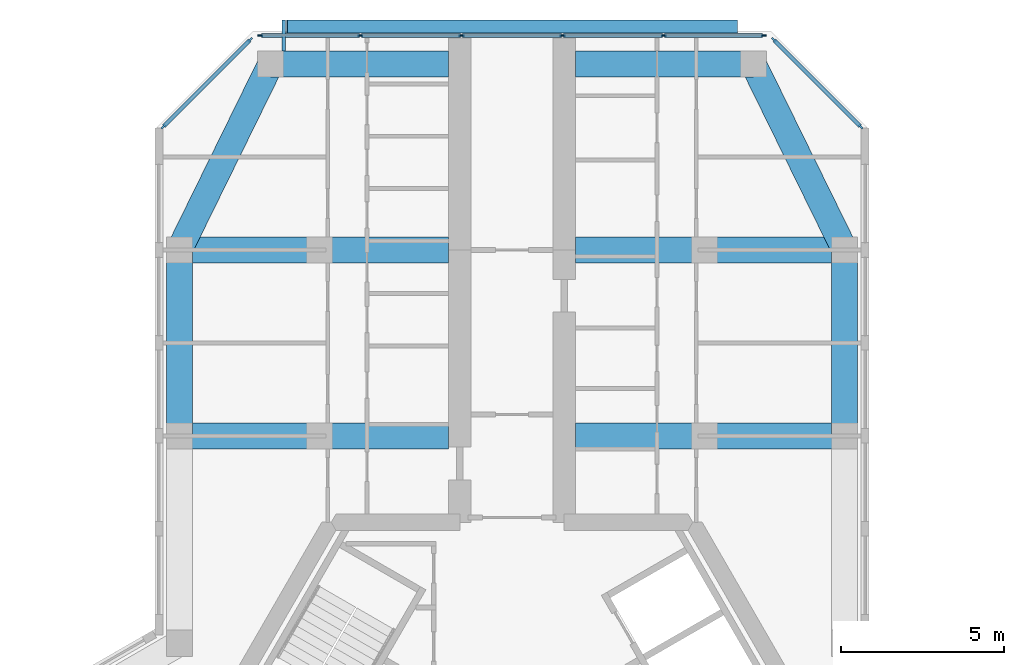
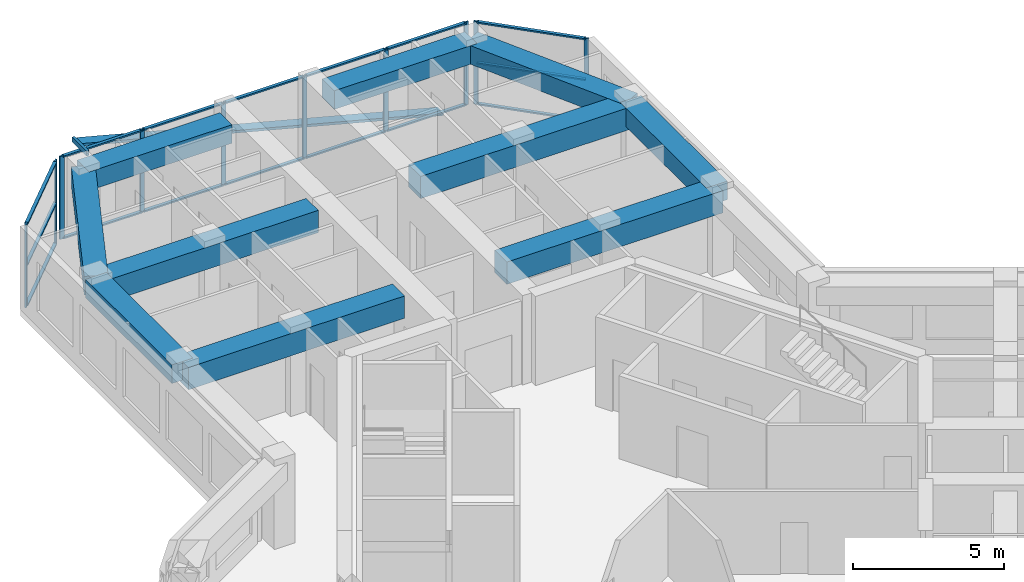
# One storey, part 5 of 14: 28 members, 10 beams, 3 elements without a shape of their own.
"""IFC4 building model written with IfcOpenShell, lengths in metres."""

from ifc_helpers import new_model, si_unit, direction, frame, origin, origin_2d, place, context, subcontext, project, spatial, rectangle, hollow_rectangle, extrude, material, material_profile, profile_set, type_object, element, aggregate, save


model = new_model("IFC4")

# Units and contexts
model_context = context("Model", 3, precision=1e-05, world=origin(), true_north=direction((0.0, 1.0)))
body_context = subcontext(model_context, "Body", "Model", "MODEL_VIEW")
ifc_project = project(units=[si_unit("LENGTHUNIT", "METRE"), si_unit("AREAUNIT", "SQUARE_METRE"), si_unit("VOLUMEUNIT", "CUBIC_METRE"), si_unit("PLANEANGLEUNIT", "RADIAN"), si_unit("MASSUNIT", "GRAM", prefix="KILO")], contexts=[model_context])

# Site, building, storey
site_placement = place(None, origin())
site = spatial("IfcSite", under=ifc_project, at=site_placement, CompositionType="ELEMENT")
building_placement = place(site_placement, origin())
building = spatial("IfcBuilding", under=site, at=building_placement, Name="Kosmar Iwan School Tower", CompositionType="ELEMENT")
storey_placement = place(building_placement, frame((0.0, 0.0, 292.60009765625)))
storey = spatial("IfcBuildingStorey", under=building, at=storey_placement, Name="L74", CompositionType="ELEMENT", Elevation=292.60009765625)

# Members
ifc_material_1 = material(Name="Black anodised aluminium", Category="aluminium")
ifc_material_profile_1 = material_profile(ifc_material_1, rectangle(XDim=0.10009765625, YDim=0.39990234375, at=origin_2d()), Name="FIN 100x400")
ifc_profile_set_1 = profile_set([ifc_material_profile_1], Name="Black anodised aluminium")
member_type_1 = type_object("IfcMemberType", Name="Diagonal fin 100x400", PredefinedType="USERDEFINED", material=ifc_profile_set_1)
member_1_placement = place(storey_placement, frame((6.898193359375, 24.800048828125, -0.150146484375), z_axis=(-0.967599450335, 0.0, 0.252490205179), x_axis=(0.252490205179, 0.0, 0.967599450335)))
element("IfcMember", 1, at=member_1_placement, inside=storey, type_object=member_type_1, Name="Diagonal fin L74-F08", ObjectType="FIN", PredefinedType="USERDEFINED", context=body_context, shape_type="SweptSolid", body=[
    extrude(rectangle(XDim=0.10009765625, YDim=0.39990234375, at=origin_2d()), origin(), (0.0, 0.0, 1.0), 14.25830078125),
])
ifc_material_2 = material(Name="Steel S355", Category="steel")
ifc_material_profile_2 = material_profile(ifc_material_2, hollow_rectangle(XDim=0.10009765625, YDim=0.199951171875, WallThickness=0.008056640625, at=origin_2d()), Name="RHS 200x100x8")
ifc_profile_set_2 = profile_set([ifc_material_profile_2], Name="Steel S355")
member_type_2 = type_object("IfcMemberType", Name="Fin bracket RHS 200x100", PredefinedType="USERDEFINED", material=ifc_profile_set_2)
member_2_placement = place(storey_placement, frame((-7.0, 24.050048828125, 3.474853515625), z_axis=(0.0, 1.0, 0.0), x_axis=(-1.0, 0.0, 0.0)))
element("IfcMember", 2, at=member_2_placement, inside=storey, type_object=member_type_2, Name="Fin bracket L75", ObjectType="FIN BRACKET", PredefinedType="USERDEFINED", context=body_context, shape_type="SweptSolid", body=[
    extrude(hollow_rectangle(XDim=0.10009765625, YDim=0.199951171875, WallThickness=0.008056640625, at=origin_2d()), origin(), (0.0, 0.0, 1.0), 0.949951171875),
])

# Curtain wall, members
ifc_material_3 = material(Name="Dark glass in black aluminium frame", Category="aluminium")
curtain_wall_type_1 = type_object("IfcCurtainWallType", Name="Chamfer curtain wall dark glass", PredefinedType="USERDEFINED", material=ifc_material_3)
curtain_wall_1_placement = place(storey_placement, origin())
curtain_wall_1 = element("IfcCurtainWall", 3, at=curtain_wall_1_placement, inside=storey, type_object=curtain_wall_type_1, Name="Curtain wall L74-F07", ObjectType="FACETED CURTAIN WALL", PredefinedType="USERDEFINED")
ifc_material_4 = material(Name="Black anodised aluminium", Category="aluminium")
ifc_material_profile_3 = material_profile(ifc_material_4, rectangle(XDim=0.06005859375, YDim=0.159912109375, at=origin_2d()), Name="MULLION 60x160")
ifc_profile_set_3 = profile_set([ifc_material_profile_3], Name="Black anodised aluminium")
member_type_3 = type_object("IfcMemberType", Name="Mullion 60x160", PredefinedType="MULLION", material=ifc_profile_set_3)
member_3_placement = place(storey_placement, frame((10.69775390625, 21.7255859375, 0.0), z_axis=(0.0, 0.0, 1.0), x_axis=(-0.707106781187, -0.707106781187, 0.0)))
member_3 = element("IfcMember", 4, at=member_3_placement, type_object=member_type_3, Name="CW2 mullion 1", PredefinedType="MULLION", context=body_context, shape_type="SweptSolid", body=[
    extrude(rectangle(XDim=0.06005859375, YDim=0.159912109375, at=origin_2d()), origin(), (0.0, 0.0, 1.0), 3.349853515625),
])
member_4_placement = place(storey_placement, frame((8.025390625, 24.397705078125, 0.0), z_axis=(0.0, 0.0, 1.0), x_axis=(-0.707106781187, -0.707106781187, 0.0)))
member_4 = element("IfcMember", 5, at=member_4_placement, type_object=member_type_3, Name="CW2 mullion 2", PredefinedType="MULLION", context=body_context, shape_type="SweptSolid", body=[
    extrude(rectangle(XDim=0.06005859375, YDim=0.159912109375, at=origin_2d()), origin(), (0.0, 0.0, 1.0), 3.349853515625),
])

ifc_material_5 = material(Name="Dark glass in black aluminium frame", Category="aluminium")
curtain_wall_type_2 = type_object("IfcCurtainWallType", Name="Tower curtain wall dark glass", PredefinedType="USERDEFINED", material=ifc_material_5)
curtain_wall_2_placement = place(storey_placement, origin())
curtain_wall_2 = element("IfcCurtainWall", 6, at=curtain_wall_2_placement, inside=storey, type_object=curtain_wall_type_2, Name="Curtain wall L74-F08", ObjectType="UNITISED CURTAIN WALL", PredefinedType="USERDEFINED")
member_5_placement = place(storey_placement, frame((7.71826171875, 24.52490234375, 0.0), z_axis=(0.0, 0.0, 1.0), x_axis=(0.0, -1.0, 0.0)))
member_5 = element("IfcMember", 7, at=member_5_placement, type_object=member_type_3, Name="CW1 mullion 1", PredefinedType="MULLION", context=body_context, shape_type="SweptSolid", body=[
    extrude(rectangle(XDim=0.06005859375, YDim=0.159912109375, at=origin_2d()), origin(), (0.0, 0.0, 1.0), 3.349853515625),
])
member_6_placement = place(storey_placement, frame((4.64892578125, 24.52490234375, 0.0), z_axis=(0.0, 0.0, 1.0), x_axis=(0.0, -1.0, 0.0)))
member_6 = element("IfcMember", 8, at=member_6_placement, type_object=member_type_3, Name="CW1 mullion 2", PredefinedType="MULLION", context=body_context, shape_type="SweptSolid", body=[
    extrude(rectangle(XDim=0.06005859375, YDim=0.159912109375, at=origin_2d()), origin(), (0.0, 0.0, 1.0), 3.349853515625),
])
member_7_placement = place(storey_placement, frame((1.549560546875, 24.52490234375, 0.0), z_axis=(0.0, 0.0, 1.0), x_axis=(0.0, -1.0, 0.0)))
member_7 = element("IfcMember", 9, at=member_7_placement, type_object=member_type_3, Name="CW1 mullion 3", PredefinedType="MULLION", context=body_context, shape_type="SweptSolid", body=[
    extrude(rectangle(XDim=0.06005859375, YDim=0.159912109375, at=origin_2d()), origin(), (0.0, 0.0, 1.0), 3.349853515625),
])
member_8_placement = place(storey_placement, frame((-1.549560546875, 24.52490234375, 0.0), z_axis=(0.0, 0.0, 1.0), x_axis=(0.0, -1.0, 0.0)))
member_8 = element("IfcMember", 10, at=member_8_placement, type_object=member_type_3, Name="CW1 mullion 4", PredefinedType="MULLION", context=body_context, shape_type="SweptSolid", body=[
    extrude(rectangle(XDim=0.06005859375, YDim=0.159912109375, at=origin_2d()), origin(), (0.0, 0.0, 1.0), 3.349853515625),
])
member_9_placement = place(storey_placement, frame((-4.64892578125, 24.52490234375, 0.0), z_axis=(0.0, 0.0, 1.0), x_axis=(0.0, -1.0, 0.0)))
member_9 = element("IfcMember", 11, at=member_9_placement, type_object=member_type_3, Name="CW1 mullion 5", PredefinedType="MULLION", context=body_context, shape_type="SweptSolid", body=[
    extrude(rectangle(XDim=0.06005859375, YDim=0.159912109375, at=origin_2d()), origin(), (0.0, 0.0, 1.0), 3.349853515625),
])
member_10_placement = place(storey_placement, frame((-7.71826171875, 24.52490234375, 0.0), z_axis=(0.0, 0.0, 1.0), x_axis=(0.0, -1.0, 0.0)))
member_10 = element("IfcMember", 12, at=member_10_placement, type_object=member_type_3, Name="CW1 mullion 6", PredefinedType="MULLION", context=body_context, shape_type="SweptSolid", body=[
    extrude(rectangle(XDim=0.06005859375, YDim=0.159912109375, at=origin_2d()), origin(), (0.0, 0.0, 1.0), 3.349853515625),
])

curtain_wall_3_placement = place(storey_placement, origin())
curtain_wall_3 = element("IfcCurtainWall", 13, at=curtain_wall_3_placement, inside=storey, type_object=curtain_wall_type_1, Name="Curtain wall L74-F09", ObjectType="FACETED CURTAIN WALL", PredefinedType="USERDEFINED")
member_11_placement = place(storey_placement, frame((-8.025390625, 24.397705078125, 0.0), z_axis=(0.0, 0.0, 1.0), x_axis=(0.707106781187, -0.707106781187, 0.0)))
member_11 = element("IfcMember", 14, at=member_11_placement, type_object=member_type_3, Name="CW2 mullion 1", PredefinedType="MULLION", context=body_context, shape_type="SweptSolid", body=[
    extrude(rectangle(XDim=0.06005859375, YDim=0.159912109375, at=origin_2d()), origin(), (0.0, 0.0, 1.0), 3.349853515625),
])
member_12_placement = place(storey_placement, frame((-10.69775390625, 21.7255859375, 0.0), z_axis=(0.0, 0.0, 1.0), x_axis=(0.707106781187, -0.707106781187, 0.0)))
member_12 = element("IfcMember", 15, at=member_12_placement, type_object=member_type_3, Name="CW2 mullion 2", PredefinedType="MULLION", context=body_context, shape_type="SweptSolid", body=[
    extrude(rectangle(XDim=0.06005859375, YDim=0.159912109375, at=origin_2d()), origin(), (0.0, 0.0, 1.0), 3.349853515625),
])

# Beams
ifc_material_6 = material(Name="Concrete C50/60", Category="concrete")
ifc_material_profile_4 = material_profile(ifc_material_6, rectangle(XDim=0.800048828125, YDim=0.75, at=origin_2d()), Name="RC 800x750")
ifc_profile_set_4 = profile_set([ifc_material_profile_4], Name="Concrete C50/60")
beam_type_1 = type_object("IfcBeamType", Name="RC edge beam 800x750", PredefinedType="BEAM", material=ifc_profile_set_4)
for number, where, z_axis, x_axis, name in (
    (16, (-10.199951171875, 12.25, 2.974853515625), (0.0, 1.0, 0.0), (-1.0, 0.0, 0.0), "Edge beam AL2"),
    (17, (10.199951171875, 12.25, 2.974853515625), (0.0, 1.0, 0.0), (-1.0, 0.0, 0.0), "Edge beam AR2"),
):
    element("IfcBeam", number, at=place(storey_placement, frame(where, z_axis=z_axis, x_axis=x_axis)), inside=storey, type_object=beam_type_1, Name=name, PredefinedType="BEAM", context=body_context, shape_type="SweptSolid", body=[
        extrude(rectangle(XDim=0.800048828125, YDim=0.75, at=origin_2d()), origin(), (0.0, 0.0, 1.0), 5.699951171875),
    ])
ifc_material_7 = material(Name="Concrete C50/60", Category="concrete")
ifc_material_profile_5 = material_profile(ifc_material_7, rectangle(XDim=0.800048828125, YDim=0.75, at=origin_2d()), Name="RC 800x750")
ifc_profile_set_5 = profile_set([ifc_material_profile_5], Name="Concrete C50/60")
beam_type_2 = type_object("IfcBeamType", Name="RC tip beam 800x750", PredefinedType="BEAM", material=ifc_profile_set_5)
beam_1_placement = place(storey_placement, frame((-10.199951171875, 17.949951171875, 2.974853515625), z_axis=(0.440913116462, 0.897549788999, 0.0), x_axis=(-0.897549788999, 0.440913116462, 0.0)))
element("IfcBeam", 18, at=beam_1_placement, inside=storey, type_object=beam_type_2, Name="Tip beam AL", PredefinedType="BEAM", context=body_context, shape_type="SweptSolid", body=[
    extrude(rectangle(XDim=0.800048828125, YDim=0.75, at=origin_2d()), origin(), (0.0, 0.0, 1.0), 6.3505859375),
])
beam_2_placement = place(storey_placement, frame((-7.39990234375, 23.64990234375, 2.974853515625), z_axis=(1.0, 0.0, 0.0), x_axis=(0.0, 1.0, 0.0)))
element("IfcBeam", 19, at=beam_2_placement, inside=storey, type_object=beam_type_2, Name="Tip beam AL to corridor wall", PredefinedType="BEAM", context=body_context, shape_type="SweptSolid", body=[
    extrude(rectangle(XDim=0.800048828125, YDim=0.75, at=origin_2d()), origin(), (0.0, 0.0, 1.0), 5.449951171875),
])
beam_3_placement = place(storey_placement, frame((10.199951171875, 17.949951171875, 2.974853515625), z_axis=(-0.440913116462, 0.897549788999, 0.0), x_axis=(-0.897549788999, -0.440913116462, 0.0)))
element("IfcBeam", 20, at=beam_3_placement, inside=storey, type_object=beam_type_2, Name="Tip beam AR", PredefinedType="BEAM", context=body_context, shape_type="SweptSolid", body=[
    extrude(rectangle(XDim=0.800048828125, YDim=0.75, at=origin_2d()), origin(), (0.0, 0.0, 1.0), 6.3505859375),
])
beam_4_placement = place(storey_placement, frame((7.39990234375, 23.64990234375, 2.974853515625), z_axis=(-1.0, 0.0, 0.0), x_axis=(0.0, -1.0, 0.0)))
element("IfcBeam", 21, at=beam_4_placement, inside=storey, type_object=beam_type_2, Name="Tip beam AR to corridor wall", PredefinedType="BEAM", context=body_context, shape_type="SweptSolid", body=[
    extrude(rectangle(XDim=0.800048828125, YDim=0.75, at=origin_2d()), origin(), (0.0, 0.0, 1.0), 5.449951171875),
])
ifc_material_8 = material(Name="Concrete C50/60", Category="concrete")
ifc_material_profile_6 = material_profile(ifc_material_8, rectangle(XDim=0.800048828125, YDim=0.89990234375, at=origin_2d()), Name="RC 800x900")
ifc_profile_set_6 = profile_set([ifc_material_profile_6], Name="Concrete C50/60")
beam_type_3 = type_object("IfcBeamType", Name="RC transverse beam 800x900", PredefinedType="BEAM", material=ifc_profile_set_6)
for number, where, z_axis, x_axis, name in (
    (22, (-10.199951171875, 12.25, 2.89990234375), (1.0, 0.0, 0.0), (0.0, 1.0, 0.0), "Transverse beam AL1"),
    (23, (-10.199951171875, 17.949951171875, 2.89990234375), (1.0, 0.0, 0.0), (0.0, 1.0, 0.0), "Transverse beam AL2"),
    (24, (10.199951171875, 12.25, 2.89990234375), (-1.0, 0.0, 0.0), (0.0, -1.0, 0.0), "Transverse beam AR1"),
    (25, (10.199951171875, 17.949951171875, 2.89990234375), (-1.0, 0.0, 0.0), (0.0, -1.0, 0.0), "Transverse beam AR2"),
):
    element("IfcBeam", number, at=place(storey_placement, frame(where, z_axis=z_axis, x_axis=x_axis)), inside=storey, type_object=beam_type_3, Name=name, PredefinedType="BEAM", context=body_context, shape_type="SweptSolid", body=[
        extrude(rectangle(XDim=0.800048828125, YDim=0.89990234375, at=origin_2d()), origin(), (0.0, 0.0, 1.0), 8.25),
    ])

# Member
ifc_material_9 = material(Name="Black anodised aluminium", Category="aluminium")
ifc_material_profile_7 = material_profile(ifc_material_9, rectangle(XDim=0.1201171875, YDim=0.06005859375, at=origin_2d()), Name="TRANSOM 60x120")
ifc_profile_set_7 = profile_set([ifc_material_profile_7], Name="Black anodised aluminium")
member_type_4 = type_object("IfcMemberType", Name="Transom 60x120", PredefinedType="USERDEFINED", material=ifc_profile_set_7)
member_13_placement = place(storey_placement, frame((10.676513671875, 21.746826171875, 0.02978515625), z_axis=(-0.707139603466, 0.707073957383, 0.0), x_axis=(-0.707073957383, -0.707139603466, 0.0)))
member_13 = element("IfcMember", 26, at=member_13_placement, type_object=member_type_4, Name="CW2 transom 1.1", ObjectType="TRANSOM", PredefinedType="USERDEFINED", context=body_context, shape_type="SweptSolid", body=[
    extrude(rectangle(XDim=0.1201171875, YDim=0.06005859375, at=origin_2d()), origin(), (0.0, 0.0, 1.0), 3.718994140625),
])

member_14_placement = place(storey_placement, frame((10.676513671875, 21.746826171875, 1.6748046875), z_axis=(-0.707139603466, 0.707073957383, 0.0), x_axis=(-0.707073957383, -0.707139603466, 0.0)))
member_14 = element("IfcMember", 27, at=member_14_placement, type_object=member_type_4, Name="CW2 transom 1.2", ObjectType="TRANSOM", PredefinedType="USERDEFINED", context=body_context, shape_type="SweptSolid", body=[
    extrude(rectangle(XDim=0.1201171875, YDim=0.06005859375, at=origin_2d()), origin(), (0.0, 0.0, 1.0), 3.718994140625),
])

member_15_placement = place(storey_placement, frame((10.676513671875, 21.746826171875, 3.31982421875), z_axis=(-0.707139603466, 0.707073957383, 0.0), x_axis=(-0.707073957383, -0.707139603466, 0.0)))
member_15 = element("IfcMember", 28, at=member_15_placement, type_object=member_type_4, Name="CW2 transom 1.3", ObjectType="TRANSOM", PredefinedType="USERDEFINED", context=body_context, shape_type="SweptSolid", body=[
    extrude(rectangle(XDim=0.1201171875, YDim=0.06005859375, at=origin_2d()), origin(), (0.0, 0.0, 1.0), 3.718994140625),
])

aggregate(curtain_wall_1, [member_3, member_4, member_13, member_14, member_15])

member_16_placement = place(storey_placement, frame((7.688232421875, 24.52490234375, 0.02978515625), z_axis=(-1.0, 0.0, 0.0), x_axis=(0.0, -1.0, 0.0)))
member_16 = element("IfcMember", 29, at=member_16_placement, type_object=member_type_4, Name="CW1 transom 1.1", ObjectType="TRANSOM", PredefinedType="USERDEFINED", context=body_context, shape_type="SweptSolid", body=[
    extrude(rectangle(XDim=0.1201171875, YDim=0.06005859375, at=origin_2d()), origin(), (0.0, 0.0, 1.0), 3.00927734375),
])

member_17_placement = place(storey_placement, frame((7.688232421875, 24.52490234375, 3.31982421875), z_axis=(-1.0, 0.0, 0.0), x_axis=(0.0, -1.0, 0.0)))
member_17 = element("IfcMember", 30, at=member_17_placement, type_object=member_type_4, Name="CW1 transom 1.2", ObjectType="TRANSOM", PredefinedType="USERDEFINED", context=body_context, shape_type="SweptSolid", body=[
    extrude(rectangle(XDim=0.1201171875, YDim=0.06005859375, at=origin_2d()), origin(), (0.0, 0.0, 1.0), 3.00927734375),
])

member_18_placement = place(storey_placement, frame((4.618896484375, 24.52490234375, 0.02978515625), z_axis=(-1.0, 0.0, 0.0), x_axis=(0.0, -1.0, 0.0)))
member_18 = element("IfcMember", 31, at=member_18_placement, type_object=member_type_4, Name="CW1 transom 2.1", ObjectType="TRANSOM", PredefinedType="USERDEFINED", context=body_context, shape_type="SweptSolid", body=[
    extrude(rectangle(XDim=0.1201171875, YDim=0.06005859375, at=origin_2d()), origin(), (0.0, 0.0, 1.0), 3.039306640625),
])

member_19_placement = place(storey_placement, frame((4.618896484375, 24.52490234375, 3.31982421875), z_axis=(-1.0, 0.0, 0.0), x_axis=(0.0, -1.0, 0.0)))
member_19 = element("IfcMember", 32, at=member_19_placement, type_object=member_type_4, Name="CW1 transom 2.2", ObjectType="TRANSOM", PredefinedType="USERDEFINED", context=body_context, shape_type="SweptSolid", body=[
    extrude(rectangle(XDim=0.1201171875, YDim=0.06005859375, at=origin_2d()), origin(), (0.0, 0.0, 1.0), 3.039306640625),
])

member_20_placement = place(storey_placement, frame((1.51953125, 24.52490234375, 0.02978515625), z_axis=(-1.0, 0.0, 0.0), x_axis=(0.0, -1.0, 0.0)))
member_20 = element("IfcMember", 33, at=member_20_placement, type_object=member_type_4, Name="CW1 transom 3.1", ObjectType="TRANSOM", PredefinedType="USERDEFINED", context=body_context, shape_type="SweptSolid", body=[
    extrude(rectangle(XDim=0.1201171875, YDim=0.06005859375, at=origin_2d()), origin(), (0.0, 0.0, 1.0), 3.0390625),
])

member_21_placement = place(storey_placement, frame((1.51953125, 24.52490234375, 3.31982421875), z_axis=(-1.0, 0.0, 0.0), x_axis=(0.0, -1.0, 0.0)))
member_21 = element("IfcMember", 34, at=member_21_placement, type_object=member_type_4, Name="CW1 transom 3.2", ObjectType="TRANSOM", PredefinedType="USERDEFINED", context=body_context, shape_type="SweptSolid", body=[
    extrude(rectangle(XDim=0.1201171875, YDim=0.06005859375, at=origin_2d()), origin(), (0.0, 0.0, 1.0), 3.0390625),
])

member_22_placement = place(storey_placement, frame((-1.57958984375, 24.52490234375, 0.02978515625), z_axis=(-1.0, 0.0, 0.0), x_axis=(0.0, -1.0, 0.0)))
member_22 = element("IfcMember", 35, at=member_22_placement, type_object=member_type_4, Name="CW1 transom 4.1", ObjectType="TRANSOM", PredefinedType="USERDEFINED", context=body_context, shape_type="SweptSolid", body=[
    extrude(rectangle(XDim=0.1201171875, YDim=0.06005859375, at=origin_2d()), origin(), (0.0, 0.0, 1.0), 3.039306640625),
])

member_23_placement = place(storey_placement, frame((-1.57958984375, 24.52490234375, 3.31982421875), z_axis=(-1.0, 0.0, 0.0), x_axis=(0.0, -1.0, 0.0)))
member_23 = element("IfcMember", 36, at=member_23_placement, type_object=member_type_4, Name="CW1 transom 4.2", ObjectType="TRANSOM", PredefinedType="USERDEFINED", context=body_context, shape_type="SweptSolid", body=[
    extrude(rectangle(XDim=0.1201171875, YDim=0.06005859375, at=origin_2d()), origin(), (0.0, 0.0, 1.0), 3.039306640625),
])

member_24_placement = place(storey_placement, frame((-4.678955078125, 24.52490234375, 0.02978515625), z_axis=(-1.0, 0.0, 0.0), x_axis=(0.0, -1.0, 0.0)))
member_24 = element("IfcMember", 37, at=member_24_placement, type_object=member_type_4, Name="CW1 transom 5.1", ObjectType="TRANSOM", PredefinedType="USERDEFINED", context=body_context, shape_type="SweptSolid", body=[
    extrude(rectangle(XDim=0.1201171875, YDim=0.06005859375, at=origin_2d()), origin(), (0.0, 0.0, 1.0), 3.00927734375),
])

member_25_placement = place(storey_placement, frame((-4.678955078125, 24.52490234375, 3.31982421875), z_axis=(-1.0, 0.0, 0.0), x_axis=(0.0, -1.0, 0.0)))
member_25 = element("IfcMember", 38, at=member_25_placement, type_object=member_type_4, Name="CW1 transom 5.2", ObjectType="TRANSOM", PredefinedType="USERDEFINED", context=body_context, shape_type="SweptSolid", body=[
    extrude(rectangle(XDim=0.1201171875, YDim=0.06005859375, at=origin_2d()), origin(), (0.0, 0.0, 1.0), 3.00927734375),
])

aggregate(curtain_wall_2, [member_5, member_6, member_7, member_8, member_9, member_10, member_16, member_17, member_18, member_19, member_20, member_21, member_22, member_23, member_24, member_25])

member_26_placement = place(storey_placement, frame((-8.046630859375, 24.37646484375, 0.02978515625), z_axis=(-0.707139603466, -0.707073957383, 0.0), x_axis=(0.707073957383, -0.707139603466, 0.0)))
member_26 = element("IfcMember", 39, at=member_26_placement, type_object=member_type_4, Name="CW2 transom 1.1", ObjectType="TRANSOM", PredefinedType="USERDEFINED", context=body_context, shape_type="SweptSolid", body=[
    extrude(rectangle(XDim=0.1201171875, YDim=0.06005859375, at=origin_2d()), origin(), (0.0, 0.0, 1.0), 3.718994140625),
])

member_27_placement = place(storey_placement, frame((-8.046630859375, 24.37646484375, 1.6748046875), z_axis=(-0.707139603466, -0.707073957383, 0.0), x_axis=(0.707073957383, -0.707139603466, 0.0)))
member_27 = element("IfcMember", 40, at=member_27_placement, type_object=member_type_4, Name="CW2 transom 1.2", ObjectType="TRANSOM", PredefinedType="USERDEFINED", context=body_context, shape_type="SweptSolid", body=[
    extrude(rectangle(XDim=0.1201171875, YDim=0.06005859375, at=origin_2d()), origin(), (0.0, 0.0, 1.0), 3.718994140625),
])

member_28_placement = place(storey_placement, frame((-8.046630859375, 24.37646484375, 3.31982421875), z_axis=(-0.707139603466, -0.707073957383, 0.0), x_axis=(0.707073957383, -0.707139603466, 0.0)))
member_28 = element("IfcMember", 41, at=member_28_placement, type_object=member_type_4, Name="CW2 transom 1.3", ObjectType="TRANSOM", PredefinedType="USERDEFINED", context=body_context, shape_type="SweptSolid", body=[
    extrude(rectangle(XDim=0.1201171875, YDim=0.06005859375, at=origin_2d()), origin(), (0.0, 0.0, 1.0), 3.718994140625),
])

aggregate(curtain_wall_3, [member_11, member_12, member_26, member_27, member_28])

save(model, "model.ifc")
